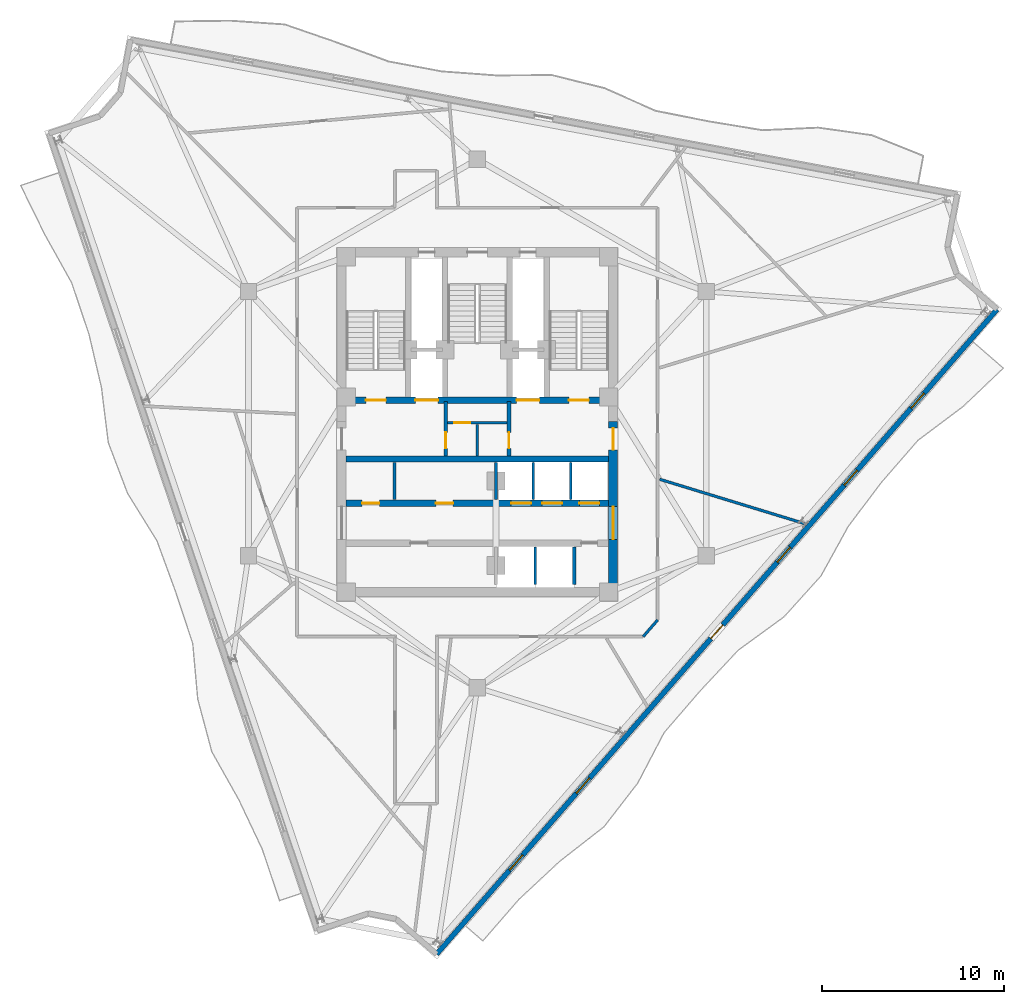
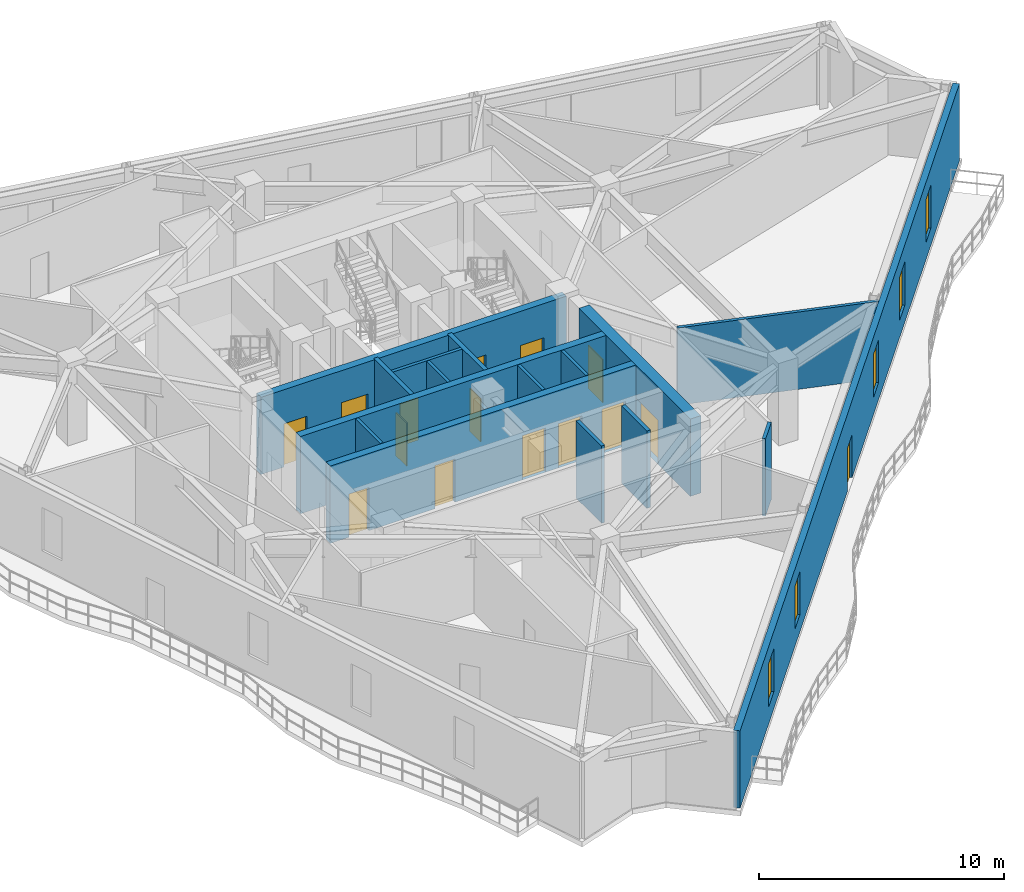
# One storey, part 5 of 11: 17 walls, 15 doors, 5 windows, 20 openings.
"""IFC4 building model written with IfcOpenShell, lengths in metres."""

from ifc_helpers import new_model, si_unit, direction, frame, frame_2d, origin, place, context, subcontext, project, spatial, rectangle, extrude, material, layer, layer_set, type_object, element, fill, save


model = new_model("IFC4")

# Units and contexts
model_context = context("Model", 3, precision=1e-05, world=origin(), true_north=direction((0.0, 1.0)))
body_context = subcontext(model_context, "Body", "Model", "MODEL_VIEW")
ifc_project = project(units=[si_unit("LENGTHUNIT", "METRE"), si_unit("AREAUNIT", "SQUARE_METRE"), si_unit("VOLUMEUNIT", "CUBIC_METRE"), si_unit("PLANEANGLEUNIT", "RADIAN"), si_unit("MASSUNIT", "GRAM", prefix="KILO")], contexts=[model_context])

# Site, building, storey
site_placement = place(None, origin())
site = spatial("IfcSite", under=ifc_project, at=site_placement, CompositionType="ELEMENT")
building_placement = place(site_placement, origin())
building = spatial("IfcBuilding", under=site, at=building_placement, Name="Apsidion Concourse Tower", CompositionType="ELEMENT")
storey_placement = place(building_placement, frame((0.0, 0.0, 281.89990234375)))
storey = spatial("IfcBuildingStorey", under=building, at=storey_placement, Name="L66", CompositionType="ELEMENT", Elevation=281.89990234375)

# Wall, openings, door, windows
ifc_material_1 = material(Name="Precast concrete C40/50", Category="concrete")
ifc_layer_1 = layer(ifc_material_1, 0.280029296875)
ifc_layer_set_1 = layer_set([ifc_layer_1], Name="Precast concrete C40/50")
wall_type_1 = type_object("IfcWallType", Name="WL-EXT-280", PredefinedType="STANDARD", material=ifc_layer_set_1)
wall_1_placement = place(storey_placement, frame((28.531494140625, 6.267578125, 0.0), z_axis=(0.0, 0.0, 1.0), x_axis=(-0.656055748756, -0.754712431674, 0.0)))
wall_1 = element("IfcWall", 1, at=wall_1_placement, inside=storey, type_object=wall_type_1, Name="L66 Precast Stone Facade Wall 05", PredefinedType="STANDARD", context=body_context, shape_type="SweptSolid", body=[
    extrude(rectangle(XDim=46.89697265625, YDim=0.280029296875, at=frame_2d((23.448486328125, 0.0))), origin(), (0.0, 0.0, 1.0), 3.85009765625),
])
opening_1_placement = place(wall_1_placement, frame((22.948486328125, 0.0, 0.0)))
opening_1 = element("IfcOpeningElement", 2, at=opening_1_placement, cuts=wall_1, Name="Opening D-T1R", PredefinedType="OPENING", context=body_context, shape_type="SweptSolid", body=[
    extrude(rectangle(XDim=1.0, YDim=2.14990234375, at=frame_2d((0.5, 1.074951171875))), frame((0.0, 0.14990234375, 0.0), z_axis=(0.0, -1.0, 0.0), x_axis=(1.0, 0.0, 0.0)), (0.0, 0.0, 1.0), 0.300048828125),
])
opening_2_placement = place(wall_1_placement, frame((6.0986328125, 0.0, 0.85009765625)))
opening_2 = element("IfcOpeningElement", 3, at=opening_2_placement, cuts=wall_1, Name="Opening WN-07", PredefinedType="OPENING", context=body_context, shape_type="SweptSolid", body=[
    extrude(rectangle(XDim=1.10009765625, YDim=2.14990234375, at=frame_2d((0.550048828125, 1.074951171875))), frame((0.0, 0.14990234375, 0.0), z_axis=(0.0, -1.0, 0.0), x_axis=(1.0, 0.0, 0.0)), (0.0, 0.0, 1.0), 0.300048828125),
])
opening_3_placement = place(wall_1_placement, frame((11.698486328125, 0.0, 0.85009765625)))
opening_3 = element("IfcOpeningElement", 4, at=opening_3_placement, cuts=wall_1, Name="Opening WN-07", PredefinedType="OPENING", context=body_context, shape_type="SweptSolid", body=[
    extrude(rectangle(XDim=1.10009765625, YDim=2.14990234375, at=frame_2d((0.550048828125, 1.074951171875))), frame((0.0, 0.14990234375, 0.0), z_axis=(0.0, -1.0, 0.0), x_axis=(1.0, 0.0, 0.0)), (0.0, 0.0, 1.0), 0.300048828125),
])
opening_4_placement = place(wall_1_placement, frame((17.298583984375, 0.0, 0.85009765625)))
opening_4 = element("IfcOpeningElement", 5, at=opening_4_placement, cuts=wall_1, Name="Opening WN-07", PredefinedType="OPENING", context=body_context, shape_type="SweptSolid", body=[
    extrude(rectangle(XDim=1.10009765625, YDim=2.14990234375, at=frame_2d((0.550048828125, 1.074951171875))), frame((0.0, 0.14990234375, 0.0), z_axis=(0.0, -1.0, 0.0), x_axis=(1.0, 0.0, 0.0)), (0.0, 0.0, 1.0), 0.300048828125),
])
opening_5_placement = place(wall_1_placement, frame((34.0986328125, 0.0, 0.85009765625)))
opening_5 = element("IfcOpeningElement", 6, at=opening_5_placement, cuts=wall_1, Name="Opening WN-07", PredefinedType="OPENING", context=body_context, shape_type="SweptSolid", body=[
    extrude(rectangle(XDim=1.10009765625, YDim=2.14990234375, at=frame_2d((0.550048828125, 1.074951171875))), frame((0.0, 0.14990234375, 0.0), z_axis=(0.0, -1.0, 0.0), x_axis=(1.0, 0.0, 0.0)), (0.0, 0.0, 1.0), 0.300048828125),
])
opening_6_placement = place(wall_1_placement, frame((39.698486328125, 0.0, 0.85009765625)))
opening_6 = element("IfcOpeningElement", 7, at=opening_6_placement, cuts=wall_1, Name="Opening WN-07", PredefinedType="OPENING", context=body_context, shape_type="SweptSolid", body=[
    extrude(rectangle(XDim=1.10009765625, YDim=2.14990234375, at=frame_2d((0.550048828125, 1.074951171875))), frame((0.0, 0.14990234375, 0.0), z_axis=(0.0, -1.0, 0.0), x_axis=(1.0, 0.0, 0.0)), (0.0, 0.0, 1.0), 0.300048828125),
])
ifc_material_2 = material(Name="Anodised aluminium EN AW-6063 T6", Category="aluminium")
door_type_1 = type_object("IfcDoorType", Name="DR-TER-1022R", OperationType="SINGLE_SWING_RIGHT", PredefinedType="DOOR", material=ifc_material_2)
door_1_placement = place(opening_1_placement, origin())
door_1 = element("IfcDoor", 8, at=door_1_placement, inside=storey, type_object=door_type_1, Name="L66 Balcony Access Door 2", OperationType="SINGLE_SWING_RIGHT", OverallHeight=2.14990234375, OverallWidth=1.0, PredefinedType="DOOR", context=body_context, shape_type="SweptSolid", body=[
    extrude(rectangle(XDim=1.0, YDim=2.14990234375, at=frame_2d((0.5, 1.074951171875))), frame((0.0, 0.02490234375, 0.0), z_axis=(0.0, -1.0, 0.0), x_axis=(1.0, 0.0, 0.0)), (0.0, 0.0, 1.0), 0.050048828125),
])
fill(opening_1, door_1)
ifc_material_3 = material(Name="Insulated laminated low-E glass", Category="glass")
window_type = type_object("IfcWindowType", Name="WN-OFF-1123", PartitioningType="SINGLE_PANEL", PredefinedType="WINDOW", material=ifc_material_3)
window_1_placement = place(opening_2_placement, origin())
window_1 = element("IfcWindow", 9, at=window_1_placement, inside=storey, type_object=window_type, Name="L66 Punched Facade Window 5-01", OverallHeight=2.14990234375, OverallWidth=1.10009765625, PartitioningType="SINGLE_PANEL", PredefinedType="WINDOW", context=body_context, shape_type="SweptSolid", body=[
    extrude(rectangle(XDim=1.10009765625, YDim=2.14990234375, at=frame_2d((0.550048828125, 1.074951171875))), frame((0.0, 0.030029296875, 0.0), z_axis=(0.0, -1.0, 0.0), x_axis=(1.0, 0.0, 0.0)), (0.0, 0.0, 1.0), 0.06005859375),
])
fill(opening_2, window_1)
window_2_placement = place(opening_3_placement, origin())
window_2 = element("IfcWindow", 10, at=window_2_placement, inside=storey, type_object=window_type, Name="L66 Punched Facade Window 5-02", OverallHeight=2.14990234375, OverallWidth=1.10009765625, PartitioningType="SINGLE_PANEL", PredefinedType="WINDOW", context=body_context, shape_type="SweptSolid", body=[
    extrude(rectangle(XDim=1.10009765625, YDim=2.14990234375, at=frame_2d((0.550048828125, 1.074951171875))), frame((0.0, 0.030029296875, 0.0), z_axis=(0.0, -1.0, 0.0), x_axis=(1.0, 0.0, 0.0)), (0.0, 0.0, 1.0), 0.06005859375),
])
fill(opening_3, window_2)
window_3_placement = place(opening_4_placement, origin())
window_3 = element("IfcWindow", 11, at=window_3_placement, inside=storey, type_object=window_type, Name="L66 Punched Facade Window 5-03", OverallHeight=2.14990234375, OverallWidth=1.10009765625, PartitioningType="SINGLE_PANEL", PredefinedType="WINDOW", context=body_context, shape_type="SweptSolid", body=[
    extrude(rectangle(XDim=1.10009765625, YDim=2.14990234375, at=frame_2d((0.550048828125, 1.074951171875))), frame((0.0, 0.030029296875, 0.0), z_axis=(0.0, -1.0, 0.0), x_axis=(1.0, 0.0, 0.0)), (0.0, 0.0, 1.0), 0.06005859375),
])
fill(opening_4, window_3)
window_4_placement = place(opening_5_placement, origin())
window_4 = element("IfcWindow", 12, at=window_4_placement, inside=storey, type_object=window_type, Name="L66 Punched Facade Window 5-06", OverallHeight=2.14990234375, OverallWidth=1.10009765625, PartitioningType="SINGLE_PANEL", PredefinedType="WINDOW", context=body_context, shape_type="SweptSolid", body=[
    extrude(rectangle(XDim=1.10009765625, YDim=2.14990234375, at=frame_2d((0.550048828125, 1.074951171875))), frame((0.0, 0.030029296875, 0.0), z_axis=(0.0, -1.0, 0.0), x_axis=(1.0, 0.0, 0.0)), (0.0, 0.0, 1.0), 0.06005859375),
])
fill(opening_5, window_4)
window_5_placement = place(opening_6_placement, origin())
window_5 = element("IfcWindow", 13, at=window_5_placement, inside=storey, type_object=window_type, Name="L66 Punched Facade Window 5-07", OverallHeight=2.14990234375, OverallWidth=1.10009765625, PartitioningType="SINGLE_PANEL", PredefinedType="WINDOW", context=body_context, shape_type="SweptSolid", body=[
    extrude(rectangle(XDim=1.10009765625, YDim=2.14990234375, at=frame_2d((0.550048828125, 1.074951171875))), frame((0.0, 0.030029296875, 0.0), z_axis=(0.0, -1.0, 0.0), x_axis=(1.0, 0.0, 0.0)), (0.0, 0.0, 1.0), 0.06005859375),
])
fill(opening_6, window_5)

# Walls
ifc_material_4 = material(Name="Gypsum plasterboard partition")
ifc_layer_2 = layer(ifc_material_4, 0.14990234375)
ifc_layer_set_2 = layer_set([ifc_layer_2], Name="Gypsum plasterboard partition")
wall_type_2 = type_object("IfcWallType", Name="WL-INT-PAR-150", PredefinedType="PARTITIONING", material=ifc_layer_set_2)
for number, where, z_axis, x_axis, name in (
    (14, (-4.550048828125, -4.179931640625, 0.0), (0.0, 0.0, 1.0), (0.0, 1.0, 0.0), "L66 Interior Partition WL-L66-B1RV1"),
    (15, (3.074951171875, -4.179931640625, 0.0), (0.0, 0.0, 1.0), (0.0, 1.0, 0.0), "L66 Interior Partition WL-L66-B3DIV-1"),
    (16, (5.125, -4.179931640625, 0.0), (0.0, 0.0, 1.0), (0.0, 1.0, 0.0), "L66 Interior Partition WL-L66-B3DIV-2"),
):
    element("IfcWall", number, at=place(storey_placement, frame(where, z_axis=z_axis, x_axis=x_axis)), inside=storey, type_object=wall_type_2, Name=name, PredefinedType="PARTITIONING", context=body_context, shape_type="SweptSolid", body=[
        extrude(rectangle(XDim=2.030029296875, YDim=0.14990234375, at=frame_2d((1.01513671875, 0.0))), origin(), (0.0, 0.0, 1.0), 3.85009765625),
    ])
wall_2_placement = place(storey_placement, frame((3.175048828125, -8.85009765625, 0.0), z_axis=(0.0, 0.0, 1.0), x_axis=(0.0, 1.0, 0.0)))
element("IfcWall", 17, at=wall_2_placement, inside=storey, type_object=wall_type_2, Name="L66 Interior Partition WL-L66-SHDIV-1", PredefinedType="PARTITIONING", context=body_context, shape_type="SweptSolid", body=[
    extrude(rectangle(XDim=2.080078125, YDim=0.14990234375, at=frame_2d((1.0400390625, 0.0))), origin(), (0.0, 0.0, 1.0), 3.85009765625),
])

# Wall, opening, door
wall_3_placement = place(storey_placement, frame((-1.639892578125, 0.0400390625, 0.0), z_axis=(0.0, 0.0, 1.0), x_axis=(1.0, 0.0, 0.0)))
wall_3 = element("IfcWall", 18, at=wall_3_placement, inside=storey, type_object=wall_type_2, Name="L66 Interior Partition WL-L66-K4H", PredefinedType="PARTITIONING", context=body_context, shape_type="SweptSolid", body=[
    extrude(rectangle(XDim=3.27978515625, YDim=0.14990234375, at=frame_2d((1.639892578125, 0.0))), origin(), (0.0, 0.0, 1.0), 3.85009765625),
])
opening_7_placement = place(wall_3_placement, frame((0.360107421875, 0.0, 0.0)))
opening_7 = element("IfcOpeningElement", 19, at=opening_7_placement, cuts=wall_3, Name="Opening D-03L", PredefinedType="OPENING", context=body_context, shape_type="SweptSolid", body=[
    extrude(rectangle(XDim=0.8798828125, YDim=2.10009765625, at=frame_2d((0.43994140625, 1.050048828125))), frame((0.0, 0.0849609375, 0.0), z_axis=(0.0, -1.0, 0.0), x_axis=(1.0, 0.0, 0.0)), (0.0, 0.0, 1.0), 0.169921875),
])
door_type_2 = type_object("IfcDoorType", Name="DR-INT-D03L", OperationType="SINGLE_SWING_LEFT", PredefinedType="DOOR", material=ifc_material_2)
door_2_placement = place(opening_7_placement, origin())
door_2 = element("IfcDoor", 20, at=door_2_placement, inside=storey, type_object=door_type_2, Name="L66 Core Telecoms Door", OperationType="SINGLE_SWING_LEFT", OverallHeight=2.10009765625, OverallWidth=0.8798828125, PredefinedType="DOOR", context=body_context, shape_type="SweptSolid", body=[
    extrude(rectangle(XDim=0.8798828125, YDim=2.10009765625, at=frame_2d((0.43994140625, 1.050048828125))), frame((0.0, 0.02490234375, 0.0), z_axis=(0.0, -1.0, 0.0), x_axis=(1.0, 0.0, 0.0)), (0.0, 0.0, 1.0), 0.050048828125),
])
fill(opening_7, door_2)

# Walls
wall_4_placement = place(storey_placement, frame((0.0, -1.780029296875, 0.0), z_axis=(0.0, 0.0, 1.0), x_axis=(0.0, 1.0, 0.0)))
element("IfcWall", 21, at=wall_4_placement, inside=storey, type_object=wall_type_2, Name="L66 Interior Partition WL-L66-K4V", PredefinedType="PARTITIONING", context=body_context, shape_type="SweptSolid", body=[
    extrude(rectangle(XDim=1.72998046875, YDim=0.14990234375, at=frame_2d((0.864990234375, 0.0))), origin(), (0.0, 0.0, 1.0), 3.85009765625),
])
wall_5_placement = place(storey_placement, frame((9.89990234375, -10.783447265625, 0.0), z_axis=(0.0, 0.0, 1.0), x_axis=(-0.656024397367, -0.754739683639, 0.0)))
element("IfcWall", 22, at=wall_5_placement, inside=storey, type_object=wall_type_2, Name="L66 Interior Partition WL-L66-CORR-09", PredefinedType="PARTITIONING", context=body_context, shape_type="SweptSolid", body=[
    extrude(rectangle(XDim=1.21435546875, YDim=0.14990234375, at=frame_2d((0.607177734375, 0.0))), origin(), (0.0, 0.0, 1.0), 3.85009765625),
])
wall_6_placement = place(storey_placement, frame((10.0048828125, -3.058837890625, 0.0), z_axis=(0.0, 0.0, 1.0), x_axis=(0.956307313921, -0.292363337887, 0.0)))
element("IfcWall", 23, at=wall_6_placement, inside=storey, type_object=wall_type_2, Name="L66 Interior Partition WL-L66-RAD-09-1", PredefinedType="PARTITIONING", context=body_context, shape_type="SweptSolid", body=[
    extrude(rectangle(XDim=8.438232421875, YDim=0.14990234375, at=frame_2d((4.21923828125, 0.0))), origin(), (0.0, 0.0, 1.0), 3.85009765625),
])
ifc_layer_3 = layer(ifc_material_4, 0.179931640625)
ifc_layer_set_3 = layer_set([ifc_layer_3], Name="Gypsum plasterboard partition")
wall_type_3 = type_object("IfcWallType", Name="WL-INT-PAR-180", PredefinedType="PARTITIONING", material=ifc_layer_set_3)
wall_7_placement = place(storey_placement, frame((1.02490234375, -4.179931640625, 0.0), z_axis=(0.0, 0.0, 1.0), x_axis=(0.0, 1.0, 0.0)))
element("IfcWall", 24, at=wall_7_placement, inside=storey, type_object=wall_type_3, Name="L66 Interior Partition WL-L66-B1END", PredefinedType="PARTITIONING", context=body_context, shape_type="SweptSolid", body=[
    extrude(rectangle(XDim=2.030029296875, YDim=0.179931640625, at=frame_2d((1.01513671875, 0.0))), origin(), (0.0, 0.0, 1.0), 2.898193359375),
])
wall_8_placement = place(storey_placement, frame((5.324951171875, -8.85009765625, 0.0), z_axis=(0.0, 0.0, 1.0), x_axis=(0.0, 1.0, 0.0)))
element("IfcWall", 25, at=wall_8_placement, inside=storey, type_object=wall_type_3, Name="L66 Interior Partition WL-L66-SHDIV-2", PredefinedType="PARTITIONING", context=body_context, shape_type="SweptSolid", body=[
    extrude(rectangle(XDim=2.080078125, YDim=0.179931640625, at=frame_2d((1.0400390625, 0.0))), origin(), (0.0, 0.0, 1.0), 3.85009765625),
])

# Wall, opening, door
ifc_layer_4 = layer(ifc_material_4, 0.199951171875)
ifc_layer_set_4 = layer_set([ifc_layer_4], Name="Gypsum plasterboard partition")
wall_type_4 = type_object("IfcWallType", Name="WL-INT-PAR-200", PredefinedType="PARTITIONING", material=ifc_layer_set_4)
wall_9_placement = place(storey_placement, frame((-1.739990234375, -1.780029296875, 0.0), z_axis=(0.0, 0.0, 1.0), x_axis=(0.0, 1.0, 0.0)))
wall_9 = element("IfcWall", 26, at=wall_9_placement, inside=storey, type_object=wall_type_4, Name="L66 Interior Partition WL-L66-FF1-E", PredefinedType="PARTITIONING", context=body_context, shape_type="SweptSolid", body=[
    extrude(rectangle(XDim=2.97998046875, YDim=0.199951171875, at=frame_2d((1.489990234375, 0.0))), origin(), (0.0, 0.0, 1.0), 3.85009765625),
])
opening_8_placement = place(wall_9_placement, frame((0.419921875, 0.0, 0.0)))
opening_8 = element("IfcOpeningElement", 27, at=opening_8_placement, cuts=wall_9, Name="Opening D-05R", PredefinedType="OPENING", context=body_context, shape_type="SweptSolid", body=[
    extrude(rectangle(XDim=0.8798828125, YDim=2.14990234375, at=frame_2d((0.43994140625, 1.074951171875))), frame((0.0, 0.10986328125, 0.0), z_axis=(0.0, -1.0, 0.0), x_axis=(1.0, 0.0, 0.0)), (0.0, 0.0, 1.0), 0.219970703125),
])
ifc_material_5 = material(Name="Brushed stainless steel 316", Category="steel")
door_type_3 = type_object("IfcDoorType", Name="DR-INT-D05R", OperationType="SINGLE_SWING_RIGHT", PredefinedType="DOOR", material=ifc_material_5)
door_3_placement = place(opening_8_placement, origin())
door_3 = element("IfcDoor", 28, at=door_3_placement, inside=storey, type_object=door_type_3, Name="L66 Core Switch Room Door", OperationType="SINGLE_SWING_RIGHT", OverallHeight=2.14990234375, OverallWidth=0.8798828125, PredefinedType="DOOR", context=body_context, shape_type="SweptSolid", body=[
    extrude(rectangle(XDim=0.8798828125, YDim=2.14990234375, at=frame_2d((0.43994140625, 1.074951171875))), frame((0.0, 0.02490234375, 0.0), z_axis=(0.0, -1.0, 0.0), x_axis=(1.0, 0.0, 0.0)), (0.0, 0.0, 1.0), 0.050048828125),
])
fill(opening_8, door_3)

wall_10_placement = place(storey_placement, frame((1.739990234375, -1.780029296875, 0.0), z_axis=(0.0, 0.0, 1.0), x_axis=(0.0, 1.0, 0.0)))
wall_10 = element("IfcWall", 29, at=wall_10_placement, inside=storey, type_object=wall_type_4, Name="L66 Interior Partition WL-L66-FF2-W", PredefinedType="PARTITIONING", context=body_context, shape_type="SweptSolid", body=[
    extrude(rectangle(XDim=2.97998046875, YDim=0.199951171875, at=frame_2d((1.489990234375, 0.0))), origin(), (0.0, 0.0, 1.0), 3.85009765625),
])
opening_9_placement = place(wall_10_placement, frame((0.419921875, 0.0, 0.0)))
opening_9 = element("IfcOpeningElement", 30, at=opening_9_placement, cuts=wall_10, Name="Opening D-05L", PredefinedType="OPENING", context=body_context, shape_type="SweptSolid", body=[
    extrude(rectangle(XDim=0.8798828125, YDim=2.14990234375, at=frame_2d((0.43994140625, 1.074951171875))), frame((0.0, 0.10986328125, 0.0), z_axis=(0.0, -1.0, 0.0), x_axis=(1.0, 0.0, 0.0)), (0.0, 0.0, 1.0), 0.219970703125),
])
door_type_4 = type_object("IfcDoorType", Name="DR-INT-D05L", OperationType="SINGLE_SWING_LEFT", PredefinedType="DOOR", material=ifc_material_5)
door_4_placement = place(opening_9_placement, origin())
door_4 = element("IfcDoor", 31, at=door_4_placement, inside=storey, type_object=door_type_4, Name="L66 Core First Aid Door", OperationType="SINGLE_SWING_LEFT", OverallHeight=2.14990234375, OverallWidth=0.8798828125, PredefinedType="DOOR", context=body_context, shape_type="SweptSolid", body=[
    extrude(rectangle(XDim=0.8798828125, YDim=2.14990234375, at=frame_2d((0.43994140625, 1.074951171875))), frame((0.0, 0.02490234375, 0.0), z_axis=(0.0, -1.0, 0.0), x_axis=(1.0, 0.0, 0.0)), (0.0, 0.0, 1.0), 0.050048828125),
])
fill(opening_9, door_4)

# Wall, openings, doors
ifc_material_6 = material(Name="Concrete C50/60", Category="concrete")
ifc_layer_5 = layer(ifc_material_6, 0.35009765625)
ifc_layer_set_5 = layer_set([ifc_layer_5], Name="Concrete C50/60")
wall_type_5 = type_object("IfcWallType", Name="WL-SH-350", PredefinedType="SHEAR", material=ifc_layer_set_5)
wall_11_placement = place(storey_placement, frame((-7.199951171875, 1.27490234375, 0.0), z_axis=(0.0, 0.0, 1.0), x_axis=(1.0, 0.0, 0.0)))
wall_11 = element("IfcWall", 32, at=wall_11_placement, inside=storey, type_object=wall_type_5, Name="L66 Central Core Shear Wall M1", PredefinedType="SHEAR", context=body_context, shape_type="SweptSolid", body=[
    extrude(rectangle(XDim=14.39990234375, YDim=0.35009765625, at=frame_2d((7.199951171875, 0.0))), origin(), (0.0, 0.0, 1.0), 3.85009765625),
])
opening_10_placement = place(wall_11_placement, frame((3.794921875, 0.0, 0.0)))
opening_10 = element("IfcOpeningElement", 33, at=opening_10_placement, cuts=wall_11, Name="Opening LD-FF", PredefinedType="OPENING", context=body_context, shape_type="SweptSolid", body=[
    extrude(rectangle(XDim=1.25, YDim=2.25, at=frame_2d((0.625, 1.125))), frame((0.0, 0.18505859375, 0.0), z_axis=(0.0, -1.0, 0.0), x_axis=(1.0, 0.0, 0.0)), (0.0, 0.0, 1.0), 0.3701171875),
])
opening_11_placement = place(wall_11_placement, frame((9.35498046875, 0.0, 0.0)))
opening_11 = element("IfcOpeningElement", 34, at=opening_11_placement, cuts=wall_11, Name="Opening LD-FF", PredefinedType="OPENING", context=body_context, shape_type="SweptSolid", body=[
    extrude(rectangle(XDim=1.25, YDim=2.25, at=frame_2d((0.625, 1.125))), frame((0.0, 0.18505859375, 0.0), z_axis=(0.0, -1.0, 0.0), x_axis=(1.0, 0.0, 0.0)), (0.0, 0.0, 1.0), 0.3701171875),
])
opening_12_placement = place(wall_11_placement, frame((1.074951171875, 0.0, 0.0)))
opening_12 = element("IfcOpeningElement", 35, at=opening_12_placement, cuts=wall_11, Name="Opening D-STL", PredefinedType="OPENING", context=body_context, shape_type="SweptSolid", body=[
    extrude(rectangle(XDim=1.10009765625, YDim=2.14990234375, at=frame_2d((0.550048828125, 1.074951171875))), frame((0.0, 0.18505859375, 0.0), z_axis=(0.0, -1.0, 0.0), x_axis=(1.0, 0.0, 0.0)), (0.0, 0.0, 1.0), 0.3701171875),
])
opening_13_placement = place(wall_11_placement, frame((12.22509765625, 0.0, 0.0)))
opening_13 = element("IfcOpeningElement", 36, at=opening_13_placement, cuts=wall_11, Name="Opening D-STR", PredefinedType="OPENING", context=body_context, shape_type="SweptSolid", body=[
    extrude(rectangle(XDim=1.10009765625, YDim=2.14990234375, at=frame_2d((0.550048828125, 1.074951171875))), frame((0.0, 0.18505859375, 0.0), z_axis=(0.0, -1.0, 0.0), x_axis=(1.0, 0.0, 0.0)), (0.0, 0.0, 1.0), 0.3701171875),
])
door_type_5 = type_object("IfcDoorType", Name="DR-INT-ST1L", OperationType="SINGLE_SWING_LEFT", PredefinedType="DOOR", material=ifc_material_5)
door_5_placement = place(opening_12_placement, origin())
door_5 = element("IfcDoor", 37, at=door_5_placement, inside=storey, type_object=door_type_5, Name="L66 Core Exit Stair ST1 Door", OperationType="SINGLE_SWING_LEFT", OverallHeight=2.14990234375, OverallWidth=1.10009765625, PredefinedType="DOOR", context=body_context, shape_type="SweptSolid", body=[
    extrude(rectangle(XDim=1.10009765625, YDim=2.14990234375, at=frame_2d((0.550048828125, 1.074951171875))), frame((0.0, 0.02490234375, 0.0), z_axis=(0.0, -1.0, 0.0), x_axis=(1.0, 0.0, 0.0)), (0.0, 0.0, 1.0), 0.050048828125),
])
fill(opening_12, door_5)
door_type_6 = type_object("IfcDoorType", Name="DR-INT-ST1R", OperationType="SINGLE_SWING_RIGHT", PredefinedType="DOOR", material=ifc_material_5)
door_6_placement = place(opening_13_placement, origin())
door_6 = element("IfcDoor", 38, at=door_6_placement, inside=storey, type_object=door_type_6, Name="L66 Core Exit Stair ST2 Door", OperationType="SINGLE_SWING_RIGHT", OverallHeight=2.14990234375, OverallWidth=1.10009765625, PredefinedType="DOOR", context=body_context, shape_type="SweptSolid", body=[
    extrude(rectangle(XDim=1.10009765625, YDim=2.14990234375, at=frame_2d((0.550048828125, 1.074951171875))), frame((0.0, 0.02490234375, 0.0), z_axis=(0.0, -1.0, 0.0), x_axis=(1.0, 0.0, 0.0)), (0.0, 0.0, 1.0), 0.050048828125),
])
fill(opening_13, door_6)
door_type_7 = type_object("IfcDoorType", Name="DR-LD-FSAE", OperationType="DOUBLE_DOOR_SLIDING", PredefinedType="DOOR", material=ifc_material_5)
door_7_placement = place(opening_10_placement, origin())
door_7 = element("IfcDoor", 39, at=door_7_placement, inside=storey, type_object=door_type_7, Name="L66 Lift Landing Door FF1", OperationType="DOUBLE_DOOR_SLIDING", OverallHeight=2.25, OverallWidth=1.25, PredefinedType="DOOR", context=body_context, shape_type="SweptSolid", body=[
    extrude(rectangle(XDim=1.25, YDim=2.25, at=frame_2d((0.625, 1.125))), frame((0.0, 0.02490234375, 0.0), z_axis=(0.0, -1.0, 0.0), x_axis=(1.0, 0.0, 0.0)), (0.0, 0.0, 1.0), 0.050048828125),
])
fill(opening_10, door_7)
door_8_placement = place(opening_11_placement, origin())
door_8 = element("IfcDoor", 40, at=door_8_placement, inside=storey, type_object=door_type_7, Name="L66 Lift Landing Door FF2", OperationType="DOUBLE_DOOR_SLIDING", OverallHeight=2.25, OverallWidth=1.25, PredefinedType="DOOR", context=body_context, shape_type="SweptSolid", body=[
    extrude(rectangle(XDim=1.25, YDim=2.25, at=frame_2d((0.625, 1.125))), frame((0.0, 0.02490234375, 0.0), z_axis=(0.0, -1.0, 0.0), x_axis=(1.0, 0.0, 0.0)), (0.0, 0.0, 1.0), 0.050048828125),
])
fill(opening_11, door_8)

# Wall
wall_12_placement = place(storey_placement, frame((-7.199951171875, -1.949951171875, 0.0), z_axis=(0.0, 0.0, 1.0), x_axis=(1.0, 0.0, 0.0)))
element("IfcWall", 41, at=wall_12_placement, inside=storey, type_object=wall_type_5, Name="L66 Central Core Shear Wall M2", PredefinedType="SHEAR", context=body_context, shape_type="SweptSolid", body=[
    extrude(rectangle(XDim=14.39990234375, YDim=0.35009765625, at=frame_2d((7.199951171875, 0.0))), origin(), (0.0, 0.0, 1.0), 3.85009765625),
])

# Wall, openings, doors
wall_13_placement = place(storey_placement, frame((-7.199951171875, -4.3798828125, 0.0), z_axis=(0.0, 0.0, 1.0), x_axis=(1.0, 0.0, 0.0)))
wall_13 = element("IfcWall", 42, at=wall_13_placement, inside=storey, type_object=wall_type_5, Name="L66 Central Core Shear Wall LA", PredefinedType="SHEAR", context=body_context, shape_type="SweptSolid", body=[
    extrude(rectangle(XDim=14.39990234375, YDim=0.35009765625, at=frame_2d((7.199951171875, 0.0))), origin(), (0.0, 0.0, 1.0), 3.85009765625),
])
opening_14_placement = place(wall_13_placement, frame((9.050048828125, 0.0, 0.0)))
opening_14 = element("IfcOpeningElement", 43, at=opening_14_placement, cuts=wall_13, Name="Opening LD-P1", PredefinedType="OPENING", context=body_context, shape_type="SweptSolid", body=[
    extrude(rectangle(XDim=1.10009765625, YDim=2.199951171875, at=frame_2d((0.550048828125, 1.10009765625))), frame((0.0, 0.18505859375, 0.0), z_axis=(0.0, -1.0, 0.0), x_axis=(1.0, 0.0, 0.0)), (0.0, 0.0, 1.0), 0.3701171875),
])
opening_15_placement = place(wall_13_placement, frame((10.75, 0.0, 0.0)))
opening_15 = element("IfcOpeningElement", 44, at=opening_15_placement, cuts=wall_13, Name="Opening LD-P1", PredefinedType="OPENING", context=body_context, shape_type="SweptSolid", body=[
    extrude(rectangle(XDim=1.10009765625, YDim=2.199951171875, at=frame_2d((0.550048828125, 1.10009765625))), frame((0.0, 0.18505859375, 0.0), z_axis=(0.0, -1.0, 0.0), x_axis=(1.0, 0.0, 0.0)), (0.0, 0.0, 1.0), 0.3701171875),
])
opening_16_placement = place(wall_13_placement, frame((12.800048828125, 0.0, 0.0)))
opening_16 = element("IfcOpeningElement", 45, at=opening_16_placement, cuts=wall_13, Name="Opening LD-P1", PredefinedType="OPENING", context=body_context, shape_type="SweptSolid", body=[
    extrude(rectangle(XDim=1.10009765625, YDim=2.199951171875, at=frame_2d((0.550048828125, 1.10009765625))), frame((0.0, 0.18505859375, 0.0), z_axis=(0.0, -1.0, 0.0), x_axis=(1.0, 0.0, 0.0)), (0.0, 0.0, 1.0), 0.3701171875),
])
opening_17_placement = place(wall_13_placement, frame((0.875, 0.0, 0.0)))
opening_17 = element("IfcOpeningElement", 46, at=opening_17_placement, cuts=wall_13, Name="Opening D-04L", PredefinedType="OPENING", context=body_context, shape_type="SweptSolid", body=[
    extrude(rectangle(XDim=0.949951171875, YDim=2.14990234375, at=frame_2d((0.47509765625, 1.074951171875))), frame((0.0, 0.18505859375, 0.0), z_axis=(0.0, -1.0, 0.0), x_axis=(1.0, 0.0, 0.0)), (0.0, 0.0, 1.0), 0.3701171875),
])
opening_18_placement = place(wall_13_placement, frame((4.925048828125, 0.0, 0.0)))
opening_18 = element("IfcOpeningElement", 47, at=opening_18_placement, cuts=wall_13, Name="Opening D-04R", PredefinedType="OPENING", context=body_context, shape_type="SweptSolid", body=[
    extrude(rectangle(XDim=0.949951171875, YDim=2.14990234375, at=frame_2d((0.47509765625, 1.074951171875))), frame((0.0, 0.18505859375, 0.0), z_axis=(0.0, -1.0, 0.0), x_axis=(1.0, 0.0, 0.0)), (0.0, 0.0, 1.0), 0.3701171875),
])
door_type_8 = type_object("IfcDoorType", Name="DR-INT-D04L", OperationType="SINGLE_SWING_LEFT", PredefinedType="DOOR", material=ifc_material_5)
door_9_placement = place(opening_17_placement, origin())
door_9 = element("IfcDoor", 48, at=door_9_placement, inside=storey, type_object=door_type_8, Name="L66 Core Supply Store Door", OperationType="SINGLE_SWING_LEFT", OverallHeight=2.14990234375, OverallWidth=0.949951171875, PredefinedType="DOOR", context=body_context, shape_type="SweptSolid", body=[
    extrude(rectangle(XDim=0.949951171875, YDim=2.14990234375, at=frame_2d((0.47509765625, 1.074951171875))), frame((0.0, 0.02490234375, 0.0), z_axis=(0.0, -1.0, 0.0), x_axis=(1.0, 0.0, 0.0)), (0.0, 0.0, 1.0), 0.050048828125),
])
fill(opening_17, door_9)
door_type_9 = type_object("IfcDoorType", Name="DR-INT-D04R", OperationType="SINGLE_SWING_RIGHT", PredefinedType="DOOR", material=ifc_material_5)
door_10_placement = place(opening_18_placement, origin())
door_10 = element("IfcDoor", 49, at=door_10_placement, inside=storey, type_object=door_type_9, Name="L66 Core Data and Print Room Door", OperationType="SINGLE_SWING_RIGHT", OverallHeight=2.14990234375, OverallWidth=0.949951171875, PredefinedType="DOOR", context=body_context, shape_type="SweptSolid", body=[
    extrude(rectangle(XDim=0.949951171875, YDim=2.14990234375, at=frame_2d((0.47509765625, 1.074951171875))), frame((0.0, 0.02490234375, 0.0), z_axis=(0.0, -1.0, 0.0), x_axis=(1.0, 0.0, 0.0)), (0.0, 0.0, 1.0), 0.050048828125),
])
fill(opening_18, door_10)
door_type_10 = type_object("IfcDoorType", Name="DR-LD-PASS", OperationType="DOUBLE_DOOR_SLIDING", PredefinedType="DOOR", material=ifc_material_5)
door_11_placement = place(opening_14_placement, origin())
door_11 = element("IfcDoor", 50, at=door_11_placement, inside=storey, type_object=door_type_10, Name="L66 Lift Landing Door P9", OperationType="DOUBLE_DOOR_SLIDING", OverallHeight=2.199951171875, OverallWidth=1.10009765625, PredefinedType="DOOR", context=body_context, shape_type="SweptSolid", body=[
    extrude(rectangle(XDim=1.10009765625, YDim=2.199951171875, at=frame_2d((0.550048828125, 1.10009765625))), frame((0.0, 0.02490234375, 0.0), z_axis=(0.0, -1.0, 0.0), x_axis=(1.0, 0.0, 0.0)), (0.0, 0.0, 1.0), 0.050048828125),
])
fill(opening_14, door_11)
door_12_placement = place(opening_15_placement, origin())
door_12 = element("IfcDoor", 51, at=door_12_placement, inside=storey, type_object=door_type_10, Name="L66 Lift Landing Door P10", OperationType="DOUBLE_DOOR_SLIDING", OverallHeight=2.199951171875, OverallWidth=1.10009765625, PredefinedType="DOOR", context=body_context, shape_type="SweptSolid", body=[
    extrude(rectangle(XDim=1.10009765625, YDim=2.199951171875, at=frame_2d((0.550048828125, 1.10009765625))), frame((0.0, 0.02490234375, 0.0), z_axis=(0.0, -1.0, 0.0), x_axis=(1.0, 0.0, 0.0)), (0.0, 0.0, 1.0), 0.050048828125),
])
fill(opening_15, door_12)
door_13_placement = place(opening_16_placement, origin())
door_13 = element("IfcDoor", 52, at=door_13_placement, inside=storey, type_object=door_type_10, Name="L66 Lift Landing Door P11", OperationType="DOUBLE_DOOR_SLIDING", OverallHeight=2.199951171875, OverallWidth=1.10009765625, PredefinedType="DOOR", context=body_context, shape_type="SweptSolid", body=[
    extrude(rectangle(XDim=1.10009765625, YDim=2.199951171875, at=frame_2d((0.550048828125, 1.10009765625))), frame((0.0, 0.02490234375, 0.0), z_axis=(0.0, -1.0, 0.0), x_axis=(1.0, 0.0, 0.0)), (0.0, 0.0, 1.0), 0.050048828125),
])
fill(opening_16, door_13)

ifc_layer_6 = layer(ifc_material_6, 0.5)
ifc_layer_set_6 = layer_set([ifc_layer_6], Name="Concrete C50/60")
wall_type_6 = type_object("IfcWallType", Name="WL-SH-500", PredefinedType="SHEAR", material=ifc_layer_set_6)
wall_14_placement = place(storey_placement, frame((7.449951171875, -9.0, 0.0), z_axis=(0.0, 0.0, 1.0), x_axis=(0.0, 1.0, 0.0)))
wall_14 = element("IfcWall", 53, at=wall_14_placement, inside=storey, type_object=wall_type_6, Name="L66 Central Core Shear Wall ES", PredefinedType="SHEAR", context=body_context, shape_type="SweptSolid", body=[
    extrude(rectangle(XDim=9.10009765625, YDim=0.5, at=frame_2d((4.550048828125, 0.0))), origin(), (0.0, 0.0, 1.0), 3.85009765625),
])
opening_19_placement = place(wall_14_placement, frame((2.639892578125, 0.0, 0.0)))
opening_19 = element("IfcOpeningElement", 54, at=opening_19_placement, cuts=wall_14, Name="Opening D-06D", PredefinedType="OPENING", context=body_context, shape_type="SweptSolid", body=[
    extrude(rectangle(XDim=1.800048828125, YDim=2.199951171875, at=frame_2d((0.89990234375, 1.10009765625))), frame((0.0, 0.260009765625, 0.0), z_axis=(0.0, -1.0, 0.0), x_axis=(1.0, 0.0, 0.0)), (0.0, 0.0, 1.0), 0.52001953125),
])
opening_20_placement = place(wall_14_placement, frame((7.550048828125, 0.0, 0.0)))
opening_20 = element("IfcOpeningElement", 55, at=opening_20_placement, cuts=wall_14, Name="Opening D-FFR", PredefinedType="OPENING", context=body_context, shape_type="SweptSolid", body=[
    extrude(rectangle(XDim=1.199951171875, YDim=2.14990234375, at=frame_2d((0.60009765625, 1.074951171875))), frame((0.0, 0.260009765625, 0.0), z_axis=(0.0, -1.0, 0.0), x_axis=(1.0, 0.0, 0.0)), (0.0, 0.0, 1.0), 0.52001953125),
])
door_type_11 = type_object("IfcDoorType", Name="DR-INT-D06D", OperationType="DOUBLE_DOOR_SINGLE_SWING", PredefinedType="DOOR", material=ifc_material_5)
door_14_placement = place(opening_19_placement, origin())
door_14 = element("IfcDoor", 56, at=door_14_placement, inside=storey, type_object=door_type_11, Name="L66 Passenger Lift Lobby ES Portal Door", OperationType="DOUBLE_DOOR_SINGLE_SWING", OverallHeight=2.199951171875, OverallWidth=1.800048828125, PredefinedType="DOOR", context=body_context, shape_type="SweptSolid", body=[
    extrude(rectangle(XDim=1.800048828125, YDim=2.199951171875, at=frame_2d((0.89990234375, 1.10009765625))), frame((0.0, 0.02490234375, 0.0), z_axis=(0.0, -1.0, 0.0), x_axis=(1.0, 0.0, 0.0)), (0.0, 0.0, 1.0), 0.050048828125),
])
fill(opening_19, door_14)
door_type_12 = type_object("IfcDoorType", Name="DR-INT-FFR", OperationType="SINGLE_SWING_RIGHT", PredefinedType="DOOR", material=ifc_material_5)
door_15_placement = place(opening_20_placement, origin())
door_15 = element("IfcDoor", 57, at=door_15_placement, inside=storey, type_object=door_type_12, Name="L66 Firefighting Lift Lobby FF2 Door", OperationType="SINGLE_SWING_RIGHT", OverallHeight=2.14990234375, OverallWidth=1.199951171875, PredefinedType="DOOR", context=body_context, shape_type="SweptSolid", body=[
    extrude(rectangle(XDim=1.199951171875, YDim=2.14990234375, at=frame_2d((0.60009765625, 1.074951171875))), frame((0.0, 0.02490234375, 0.0), z_axis=(0.0, -1.0, 0.0), x_axis=(1.0, 0.0, 0.0)), (0.0, 0.0, 1.0), 0.050048828125),
])
fill(opening_20, door_15)

save(model, "model.ifc")
